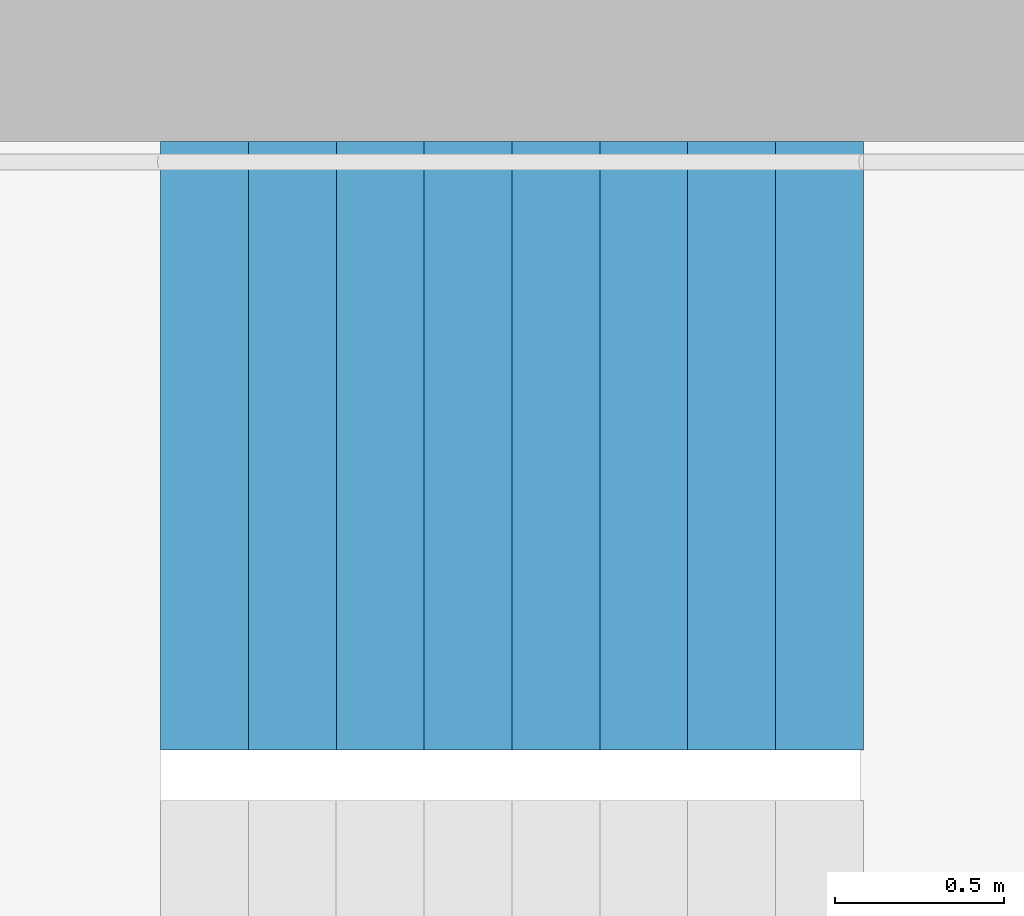
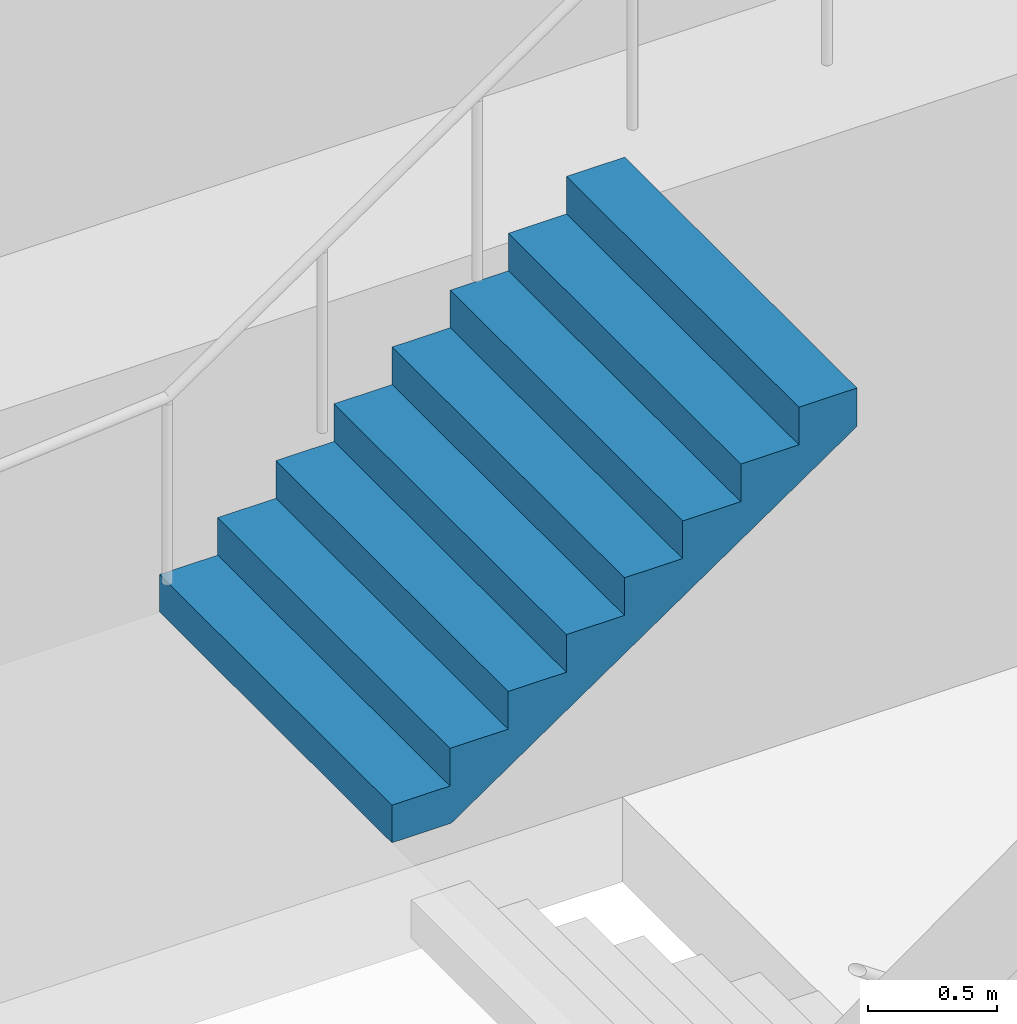
# One storey, part 27 of 35: 1 stair flight, 1 element without a shape of its own.
"""IFC4 building model written with IfcOpenShell, lengths in metres."""

from ifc_helpers import new_model, si_unit, direction, frame, origin, place, context, subcontext, project, spatial, triangles, material, type_object, element, aggregate, save


model = new_model("IFC4")

# Units and contexts
model_context = context("Model", 3, precision=1e-05, world=origin(), true_north=direction((0.0, 1.0)))
body_context = subcontext(model_context, "Body", "Model", "MODEL_VIEW")
ifc_project = project(units=[si_unit("LENGTHUNIT", "METRE"), si_unit("AREAUNIT", "SQUARE_METRE"), si_unit("VOLUMEUNIT", "CUBIC_METRE"), si_unit("PLANEANGLEUNIT", "RADIAN"), si_unit("MASSUNIT", "GRAM", prefix="KILO")], contexts=[model_context])

# Site, building, storey
site_placement = place(None, origin())
site = spatial("IfcSite", under=ifc_project, at=site_placement, CompositionType="ELEMENT")
building_placement = place(site_placement, origin())
building = spatial("IfcBuilding", under=site, at=building_placement, Name="Hakoniwa Tower and Hamabe Station Hall", CompositionType="ELEMENT")
storey_placement = place(building_placement, frame((0.0, 0.0, 51.800048828125)))
storey = spatial("IfcBuildingStorey", under=building, at=storey_placement, Name="L14", CompositionType="ELEMENT", Elevation=51.800048828125)

# Stair, stair flight
ifc_material_1 = material(Name="Concrete C40", Category="concrete")
stair_type = type_object("IfcStairType", Name="ESCAPE STAIR 1800", PredefinedType="HALF_TURN_STAIR", material=ifc_material_1)
stair_placement = place(storey_placement, origin())
stair = element("IfcStair", 1, at=stair_placement, inside=storey, type_object=stair_type, Name="Escape stair ST-3 L14", PredefinedType="HALF_TURN_STAIR")
ifc_material_2 = material(Name="Concrete C40", Category="concrete")
stair_flight_type = type_object("IfcStairFlightType", Name="STAIR FLIGHT 1800", PredefinedType="STRAIGHT", material=ifc_material_2)
stair_flight_placement = place(storey_placement, frame((22.320068359375, 6.60009765625, 1.599853515625), z_axis=(0.0, 0.0, 1.0), x_axis=(1.0, 0.0, 0.0)))
stair_flight = element("IfcStairFlight", 2, at=stair_flight_placement, type_object=stair_flight_type, Name="ST-3 flight 2", NumberOfRisers=9, NumberOfTreads=8, PredefinedType="STRAIGHT", RiserHeight=0.177777778, TreadLength=0.26, context=body_context, shape_type="Tessellation", body=[
    triangles([(0.0, 0.89990234375, 0.0), (0.260009765625, 0.89990234375, 0.0), (0.265625, 0.89990234375, 0.0), (0.52001953125, 0.89990234375, 0.174072265625), (0.780029296875, 0.89990234375, 0.351806640625), (1.0400390625, 0.89990234375, 0.529541015625), (1.300048828125, 0.89990234375, 0.707275390625), (1.56005859375, 0.89990234375, 0.885009765625), (1.820068359375, 0.89990234375, 1.062744140625), (2.080078125, 0.89990234375, 1.24072265625), (2.080078125, 0.89990234375, 1.422119140625), (1.820068359375, 0.89990234375, 1.422119140625), (1.820068359375, 0.89990234375, 1.244384765625), (1.56005859375, 0.89990234375, 1.244384765625), (1.56005859375, 0.89990234375, 1.066650390625), (1.300048828125, 0.89990234375, 1.066650390625), (1.300048828125, 0.89990234375, 0.888916015625), (1.0400390625, 0.89990234375, 0.888916015625), (1.0400390625, 0.89990234375, 0.711181640625), (0.780029296875, 0.89990234375, 0.711181640625), (0.780029296875, 0.89990234375, 0.533447265625), (0.52001953125, 0.89990234375, 0.533447265625), (0.52001953125, 0.89990234375, 0.35546875), (0.265625, 0.89990234375, 0.35546875), (0.260009765625, 0.89990234375, 0.35546875), (0.260009765625, 0.89990234375, 0.177734375), (0.0, 0.89990234375, 0.177734375), (0.0, 0.06005859375, 0.0), (0.260009765625, 0.06005859375, 0.0), (0.265625, 0.06005859375, 0.0), (0.52001953125, 0.06005859375, 0.174072265625), (0.780029296875, 0.06005859375, 0.351806640625), (1.0400390625, 0.06005859375, 0.529541015625), (1.300048828125, 0.06005859375, 0.707275390625), (1.56005859375, 0.06005859375, 0.885009765625), (1.820068359375, 0.06005859375, 1.062744140625), (2.080078125, 0.06005859375, 1.24072265625), (2.080078125, 0.06005859375, 1.422119140625), (1.820068359375, 0.06005859375, 1.422119140625), (1.820068359375, 0.06005859375, 1.244384765625), (1.56005859375, 0.06005859375, 1.244384765625), (1.56005859375, 0.06005859375, 1.066650390625), (1.300048828125, 0.06005859375, 1.066650390625), (1.300048828125, 0.06005859375, 0.888916015625), (1.0400390625, 0.06005859375, 0.888916015625), (1.0400390625, 0.06005859375, 0.711181640625), (0.780029296875, 0.06005859375, 0.711181640625), (0.780029296875, 0.06005859375, 0.533447265625), (0.52001953125, 0.06005859375, 0.533447265625), (0.52001953125, 0.06005859375, 0.35546875), (0.265625, 0.06005859375, 0.35546875), (0.260009765625, 0.06005859375, 0.35546875), (0.260009765625, 0.06005859375, 0.177734375), (0.0, 0.06005859375, 0.177734375), (0.0, 0.04296875, 0.0), (0.260009765625, 0.04296875, 0.0), (0.265625, 0.04296875, 0.0), (0.52001953125, 0.04296875, 0.174072265625), (0.780029296875, 0.04296875, 0.351806640625), (1.0400390625, 0.04296875, 0.529541015625), (1.300048828125, 0.04296875, 0.707275390625), (1.56005859375, 0.04296875, 0.885009765625), (1.820068359375, 0.04296875, 1.062744140625), (2.080078125, 0.04296875, 1.24072265625), (2.080078125, 0.04296875, 1.422119140625), (1.820068359375, 0.04296875, 1.422119140625), (1.820068359375, 0.04296875, 1.244384765625), (1.56005859375, 0.04296875, 1.244384765625), (1.56005859375, 0.04296875, 1.066650390625), (1.300048828125, 0.04296875, 1.066650390625), (1.300048828125, 0.04296875, 0.888916015625), (1.0400390625, 0.04296875, 0.888916015625), (1.0400390625, 0.04296875, 0.711181640625), (0.780029296875, 0.04296875, 0.711181640625), (0.780029296875, 0.04296875, 0.533447265625), (0.52001953125, 0.04296875, 0.533447265625), (0.52001953125, 0.04296875, 0.35546875), (0.265625, 0.04296875, 0.35546875), (0.260009765625, 0.04296875, 0.35546875), (0.260009765625, 0.04296875, 0.177734375), (0.0, 0.04296875, 0.177734375), (0.0, 0.025634765625, 0.0), (0.260009765625, 0.025634765625, 0.0), (0.265625, 0.025634765625, 0.0), (0.52001953125, 0.025634765625, 0.174072265625), (0.780029296875, 0.025634765625, 0.351806640625), (1.0400390625, 0.025634765625, 0.529541015625), (1.300048828125, 0.025634765625, 0.707275390625), (1.56005859375, 0.025634765625, 0.885009765625), (1.820068359375, 0.025634765625, 1.062744140625), (2.080078125, 0.025634765625, 1.24072265625), (2.080078125, 0.025634765625, 1.422119140625), (1.820068359375, 0.025634765625, 1.422119140625), (1.820068359375, 0.025634765625, 1.244384765625), (1.56005859375, 0.025634765625, 1.244384765625), (1.56005859375, 0.025634765625, 1.066650390625), (1.300048828125, 0.025634765625, 1.066650390625), (1.300048828125, 0.025634765625, 0.888916015625), (1.0400390625, 0.025634765625, 0.888916015625), (1.0400390625, 0.025634765625, 0.711181640625), (0.780029296875, 0.025634765625, 0.711181640625), (0.780029296875, 0.025634765625, 0.533447265625), (0.52001953125, 0.025634765625, 0.533447265625), (0.52001953125, 0.025634765625, 0.35546875), (0.265625, 0.025634765625, 0.35546875), (0.260009765625, 0.025634765625, 0.35546875), (0.260009765625, 0.025634765625, 0.177734375), (0.0, 0.025634765625, 0.177734375), (0.0, 0.008544921875, 0.0), (0.260009765625, 0.008544921875, 0.0), (0.265625, 0.008544921875, 0.0), (0.52001953125, 0.008544921875, 0.174072265625), (0.780029296875, 0.008544921875, 0.351806640625), (1.0400390625, 0.008544921875, 0.529541015625), (1.300048828125, 0.008544921875, 0.707275390625), (1.56005859375, 0.008544921875, 0.885009765625), (1.820068359375, 0.008544921875, 1.062744140625), (2.080078125, 0.008544921875, 1.24072265625), (2.080078125, 0.008544921875, 1.422119140625), (1.820068359375, 0.008544921875, 1.422119140625), (1.820068359375, 0.008544921875, 1.244384765625), (1.56005859375, 0.008544921875, 1.244384765625), (1.56005859375, 0.008544921875, 1.066650390625), (1.300048828125, 0.008544921875, 1.066650390625), (1.300048828125, 0.008544921875, 0.888916015625), (1.0400390625, 0.008544921875, 0.888916015625), (1.0400390625, 0.008544921875, 0.711181640625), (0.780029296875, 0.008544921875, 0.711181640625), (0.780029296875, 0.008544921875, 0.533447265625), (0.52001953125, 0.008544921875, 0.533447265625), (0.52001953125, 0.008544921875, 0.35546875), (0.265625, 0.008544921875, 0.35546875), (0.260009765625, 0.008544921875, 0.35546875), (0.260009765625, 0.008544921875, 0.177734375), (0.0, 0.008544921875, 0.177734375), (0.0, -0.008544921875, 0.0), (0.260009765625, -0.008544921875, 0.0), (0.265625, -0.008544921875, 0.0), (0.52001953125, -0.008544921875, 0.174072265625), (0.780029296875, -0.008544921875, 0.351806640625), (1.0400390625, -0.008544921875, 0.529541015625), (1.300048828125, -0.008544921875, 0.707275390625), (1.56005859375, -0.008544921875, 0.885009765625), (1.820068359375, -0.008544921875, 1.062744140625), (2.080078125, -0.008544921875, 1.24072265625), (2.080078125, -0.008544921875, 1.422119140625), (1.820068359375, -0.008544921875, 1.422119140625), (1.820068359375, -0.008544921875, 1.244384765625), (1.56005859375, -0.008544921875, 1.244384765625), (1.56005859375, -0.008544921875, 1.066650390625), (1.300048828125, -0.008544921875, 1.066650390625), (1.300048828125, -0.008544921875, 0.888916015625), (1.0400390625, -0.008544921875, 0.888916015625), (1.0400390625, -0.008544921875, 0.711181640625), (0.780029296875, -0.008544921875, 0.711181640625), (0.780029296875, -0.008544921875, 0.533447265625), (0.52001953125, -0.008544921875, 0.533447265625), (0.52001953125, -0.008544921875, 0.35546875), (0.265625, -0.008544921875, 0.35546875), (0.260009765625, -0.008544921875, 0.35546875), (0.260009765625, -0.008544921875, 0.177734375), (0.0, -0.008544921875, 0.177734375), (0.0, -0.025634765625, 0.0), (0.260009765625, -0.025634765625, 0.0), (0.265625, -0.025634765625, 0.0), (0.52001953125, -0.025634765625, 0.174072265625), (0.780029296875, -0.025634765625, 0.351806640625), (1.0400390625, -0.025634765625, 0.529541015625), (1.300048828125, -0.025634765625, 0.707275390625), (1.56005859375, -0.025634765625, 0.885009765625), (1.820068359375, -0.025634765625, 1.062744140625), (2.080078125, -0.025634765625, 1.24072265625), (2.080078125, -0.025634765625, 1.422119140625), (1.820068359375, -0.025634765625, 1.422119140625), (1.820068359375, -0.025634765625, 1.244384765625), (1.56005859375, -0.025634765625, 1.244384765625), (1.56005859375, -0.025634765625, 1.066650390625), (1.300048828125, -0.025634765625, 1.066650390625), (1.300048828125, -0.025634765625, 0.888916015625), (1.0400390625, -0.025634765625, 0.888916015625), (1.0400390625, -0.025634765625, 0.711181640625), (0.780029296875, -0.025634765625, 0.711181640625), (0.780029296875, -0.025634765625, 0.533447265625), (0.52001953125, -0.025634765625, 0.533447265625), (0.52001953125, -0.025634765625, 0.35546875), (0.265625, -0.025634765625, 0.35546875), (0.260009765625, -0.025634765625, 0.35546875), (0.260009765625, -0.025634765625, 0.177734375), (0.0, -0.025634765625, 0.177734375), (0.0, -0.04296875, 0.0), (0.260009765625, -0.04296875, 0.0), (0.265625, -0.04296875, 0.0), (0.52001953125, -0.04296875, 0.174072265625), (0.780029296875, -0.04296875, 0.351806640625), (1.0400390625, -0.04296875, 0.529541015625), (1.300048828125, -0.04296875, 0.707275390625), (1.56005859375, -0.04296875, 0.885009765625), (1.820068359375, -0.04296875, 1.062744140625), (2.080078125, -0.04296875, 1.24072265625), (2.080078125, -0.04296875, 1.422119140625), (1.820068359375, -0.04296875, 1.422119140625), (1.820068359375, -0.04296875, 1.244384765625), (1.56005859375, -0.04296875, 1.244384765625), (1.56005859375, -0.04296875, 1.066650390625), (1.300048828125, -0.04296875, 1.066650390625), (1.300048828125, -0.04296875, 0.888916015625), (1.0400390625, -0.04296875, 0.888916015625), (1.0400390625, -0.04296875, 0.711181640625), (0.780029296875, -0.04296875, 0.711181640625), (0.780029296875, -0.04296875, 0.533447265625), (0.52001953125, -0.04296875, 0.533447265625), (0.52001953125, -0.04296875, 0.35546875), (0.265625, -0.04296875, 0.35546875), (0.260009765625, -0.04296875, 0.35546875), (0.260009765625, -0.04296875, 0.177734375), (0.0, -0.04296875, 0.177734375), (0.0, -0.06005859375, 0.0), (0.260009765625, -0.06005859375, 0.0), (0.265625, -0.06005859375, 0.0), (0.52001953125, -0.06005859375, 0.174072265625), (0.780029296875, -0.06005859375, 0.351806640625), (1.0400390625, -0.06005859375, 0.529541015625), (1.300048828125, -0.06005859375, 0.707275390625), (1.56005859375, -0.06005859375, 0.885009765625), (1.820068359375, -0.06005859375, 1.062744140625), (2.080078125, -0.06005859375, 1.24072265625), (2.080078125, -0.06005859375, 1.422119140625), (1.820068359375, -0.06005859375, 1.422119140625), (1.820068359375, -0.06005859375, 1.244384765625), (1.56005859375, -0.06005859375, 1.244384765625), (1.56005859375, -0.06005859375, 1.066650390625), (1.300048828125, -0.06005859375, 1.066650390625), (1.300048828125, -0.06005859375, 0.888916015625), (1.0400390625, -0.06005859375, 0.888916015625), (1.0400390625, -0.06005859375, 0.711181640625), (0.780029296875, -0.06005859375, 0.711181640625), (0.780029296875, -0.06005859375, 0.533447265625), (0.52001953125, -0.06005859375, 0.533447265625), (0.52001953125, -0.06005859375, 0.35546875), (0.265625, -0.06005859375, 0.35546875), (0.260009765625, -0.06005859375, 0.35546875), (0.260009765625, -0.06005859375, 0.177734375), (0.0, -0.06005859375, 0.177734375), (0.0, -0.89990234375, 0.0), (0.260009765625, -0.89990234375, 0.0), (0.265625, -0.89990234375, 0.0), (0.52001953125, -0.89990234375, 0.174072265625), (0.780029296875, -0.89990234375, 0.351806640625), (1.0400390625, -0.89990234375, 0.529541015625), (1.300048828125, -0.89990234375, 0.707275390625), (1.56005859375, -0.89990234375, 0.885009765625), (1.820068359375, -0.89990234375, 1.062744140625), (2.080078125, -0.89990234375, 1.24072265625), (2.080078125, -0.89990234375, 1.422119140625), (1.820068359375, -0.89990234375, 1.422119140625), (1.820068359375, -0.89990234375, 1.244384765625), (1.56005859375, -0.89990234375, 1.244384765625), (1.56005859375, -0.89990234375, 1.066650390625), (1.300048828125, -0.89990234375, 1.066650390625), (1.300048828125, -0.89990234375, 0.888916015625), (1.0400390625, -0.89990234375, 0.888916015625), (1.0400390625, -0.89990234375, 0.711181640625), (0.780029296875, -0.89990234375, 0.711181640625), (0.780029296875, -0.89990234375, 0.533447265625), (0.52001953125, -0.89990234375, 0.533447265625), (0.52001953125, -0.89990234375, 0.35546875), (0.265625, -0.89990234375, 0.35546875), (0.260009765625, -0.89990234375, 0.35546875), (0.260009765625, -0.89990234375, 0.177734375), (0.0, -0.89990234375, 0.177734375)], [[2, 27, 26], [245, 269, 270], [2, 1, 27], [245, 270, 244], [3, 25, 24], [246, 267, 268], [3, 26, 25], [246, 268, 269], [3, 2, 26], [246, 269, 245], [4, 24, 23], [247, 266, 267], [4, 3, 24], [247, 267, 246], [5, 22, 21], [248, 264, 265], [5, 23, 22], [248, 265, 266], [5, 4, 23], [248, 266, 247], [6, 20, 19], [249, 262, 263], [6, 21, 20], [249, 263, 264], [6, 5, 21], [249, 264, 248], [7, 18, 17], [250, 260, 261], [7, 19, 18], [250, 261, 262], [7, 6, 19], [250, 262, 249], [8, 16, 15], [251, 258, 259], [8, 17, 16], [251, 259, 260], [8, 7, 17], [251, 260, 250], [9, 14, 13], [252, 256, 257], [9, 15, 14], [252, 257, 258], [9, 8, 15], [252, 258, 251], [10, 12, 11], [253, 254, 255], [10, 13, 12], [253, 255, 256], [10, 9, 13], [253, 256, 252], [1, 2, 29], [1, 29, 28], [28, 29, 56], [28, 56, 55], [55, 56, 83], [55, 83, 82], [82, 83, 110], [82, 110, 109], [109, 110, 137], [109, 137, 136], [136, 137, 164], [136, 164, 163], [163, 164, 191], [163, 191, 190], [190, 191, 218], [190, 218, 217], [217, 218, 245], [217, 245, 244], [2, 3, 30], [2, 30, 29], [29, 30, 57], [29, 57, 56], [56, 57, 84], [56, 84, 83], [83, 84, 111], [83, 111, 110], [110, 111, 138], [110, 138, 137], [137, 138, 165], [137, 165, 164], [164, 165, 192], [164, 192, 191], [191, 192, 219], [191, 219, 218], [218, 219, 246], [218, 246, 245], [3, 4, 31], [3, 31, 30], [30, 31, 58], [30, 58, 57], [57, 58, 85], [57, 85, 84], [84, 85, 112], [84, 112, 111], [111, 112, 139], [111, 139, 138], [138, 139, 166], [138, 166, 165], [165, 166, 193], [165, 193, 192], [192, 193, 220], [192, 220, 219], [219, 220, 247], [219, 247, 246], [4, 5, 32], [4, 32, 31], [31, 32, 59], [31, 59, 58], [58, 59, 86], [58, 86, 85], [85, 86, 113], [85, 113, 112], [112, 113, 140], [112, 140, 139], [139, 140, 167], [139, 167, 166], [166, 167, 194], [166, 194, 193], [193, 194, 221], [193, 221, 220], [220, 221, 248], [220, 248, 247], [5, 6, 33], [5, 33, 32], [32, 33, 60], [32, 60, 59], [59, 60, 87], [59, 87, 86], [86, 87, 114], [86, 114, 113], [113, 114, 141], [113, 141, 140], [140, 141, 168], [140, 168, 167], [167, 168, 195], [167, 195, 194], [194, 195, 222], [194, 222, 221], [221, 222, 249], [221, 249, 248], [6, 7, 34], [6, 34, 33], [33, 34, 61], [33, 61, 60], [60, 61, 88], [60, 88, 87], [87, 88, 115], [87, 115, 114], [114, 115, 142], [114, 142, 141], [141, 142, 169], [141, 169, 168], [168, 169, 196], [168, 196, 195], [195, 196, 223], [195, 223, 222], [222, 223, 250], [222, 250, 249], [7, 8, 35], [7, 35, 34], [34, 35, 62], [34, 62, 61], [61, 62, 89], [61, 89, 88], [88, 89, 116], [88, 116, 115], [115, 116, 143], [115, 143, 142], [142, 143, 170], [142, 170, 169], [169, 170, 197], [169, 197, 196], [196, 197, 224], [196, 224, 223], [223, 224, 251], [223, 251, 250], [8, 9, 36], [8, 36, 35], [35, 36, 63], [35, 63, 62], [62, 63, 90], [62, 90, 89], [89, 90, 117], [89, 117, 116], [116, 117, 144], [116, 144, 143], [143, 144, 171], [143, 171, 170], [170, 171, 198], [170, 198, 197], [197, 198, 225], [197, 225, 224], [224, 225, 252], [224, 252, 251], [9, 10, 37], [9, 37, 36], [36, 37, 64], [36, 64, 63], [63, 64, 91], [63, 91, 90], [90, 91, 118], [90, 118, 117], [117, 118, 145], [117, 145, 144], [144, 145, 172], [144, 172, 171], [171, 172, 199], [171, 199, 198], [198, 199, 226], [198, 226, 225], [225, 226, 253], [225, 253, 252], [10, 11, 38], [10, 38, 37], [37, 38, 65], [37, 65, 64], [64, 65, 92], [64, 92, 91], [91, 92, 119], [91, 119, 118], [118, 119, 146], [118, 146, 145], [145, 146, 173], [145, 173, 172], [172, 173, 200], [172, 200, 199], [199, 200, 227], [199, 227, 226], [226, 227, 254], [226, 254, 253], [11, 12, 39], [11, 39, 38], [38, 39, 66], [38, 66, 65], [65, 66, 93], [65, 93, 92], [92, 93, 120], [92, 120, 119], [119, 120, 147], [119, 147, 146], [146, 147, 174], [146, 174, 173], [173, 174, 201], [173, 201, 200], [200, 201, 228], [200, 228, 227], [227, 228, 255], [227, 255, 254], [12, 13, 40], [12, 40, 39], [39, 40, 67], [39, 67, 66], [66, 67, 94], [66, 94, 93], [93, 94, 121], [93, 121, 120], [120, 121, 148], [120, 148, 147], [147, 148, 175], [147, 175, 174], [174, 175, 202], [174, 202, 201], [201, 202, 229], [201, 229, 228], [228, 229, 256], [228, 256, 255], [13, 14, 41], [13, 41, 40], [40, 41, 68], [40, 68, 67], [67, 68, 95], [67, 95, 94], [94, 95, 122], [94, 122, 121], [121, 122, 149], [121, 149, 148], [148, 149, 176], [148, 176, 175], [175, 176, 203], [175, 203, 202], [202, 203, 230], [202, 230, 229], [229, 230, 257], [229, 257, 256], [14, 15, 42], [14, 42, 41], [41, 42, 69], [41, 69, 68], [68, 69, 96], [68, 96, 95], [95, 96, 123], [95, 123, 122], [122, 123, 150], [122, 150, 149], [149, 150, 177], [149, 177, 176], [176, 177, 204], [176, 204, 203], [203, 204, 231], [203, 231, 230], [230, 231, 258], [230, 258, 257], [15, 16, 43], [15, 43, 42], [42, 43, 70], [42, 70, 69], [69, 70, 97], [69, 97, 96], [96, 97, 124], [96, 124, 123], [123, 124, 151], [123, 151, 150], [150, 151, 178], [150, 178, 177], [177, 178, 205], [177, 205, 204], [204, 205, 232], [204, 232, 231], [231, 232, 259], [231, 259, 258], [16, 17, 44], [16, 44, 43], [43, 44, 71], [43, 71, 70], [70, 71, 98], [70, 98, 97], [97, 98, 125], [97, 125, 124], [124, 125, 152], [124, 152, 151], [151, 152, 179], [151, 179, 178], [178, 179, 206], [178, 206, 205], [205, 206, 233], [205, 233, 232], [232, 233, 260], [232, 260, 259], [17, 18, 45], [17, 45, 44], [44, 45, 72], [44, 72, 71], [71, 72, 99], [71, 99, 98], [98, 99, 126], [98, 126, 125], [125, 126, 153], [125, 153, 152], [152, 153, 180], [152, 180, 179], [179, 180, 207], [179, 207, 206], [206, 207, 234], [206, 234, 233], [233, 234, 261], [233, 261, 260], [18, 19, 46], [18, 46, 45], [45, 46, 73], [45, 73, 72], [72, 73, 100], [72, 100, 99], [99, 100, 127], [99, 127, 126], [126, 127, 154], [126, 154, 153], [153, 154, 181], [153, 181, 180], [180, 181, 208], [180, 208, 207], [207, 208, 235], [207, 235, 234], [234, 235, 262], [234, 262, 261], [19, 20, 47], [19, 47, 46], [46, 47, 74], [46, 74, 73], [73, 74, 101], [73, 101, 100], [100, 101, 128], [100, 128, 127], [127, 128, 155], [127, 155, 154], [154, 155, 182], [154, 182, 181], [181, 182, 209], [181, 209, 208], [208, 209, 236], [208, 236, 235], [235, 236, 263], [235, 263, 262], [20, 21, 48], [20, 48, 47], [47, 48, 75], [47, 75, 74], [74, 75, 102], [74, 102, 101], [101, 102, 129], [101, 129, 128], [128, 129, 156], [128, 156, 155], [155, 156, 183], [155, 183, 182], [182, 183, 210], [182, 210, 209], [209, 210, 237], [209, 237, 236], [236, 237, 264], [236, 264, 263], [21, 22, 49], [21, 49, 48], [48, 49, 76], [48, 76, 75], [75, 76, 103], [75, 103, 102], [102, 103, 130], [102, 130, 129], [129, 130, 157], [129, 157, 156], [156, 157, 184], [156, 184, 183], [183, 184, 211], [183, 211, 210], [210, 211, 238], [210, 238, 237], [237, 238, 265], [237, 265, 264], [22, 23, 50], [22, 50, 49], [49, 50, 77], [49, 77, 76], [76, 77, 104], [76, 104, 103], [103, 104, 131], [103, 131, 130], [130, 131, 158], [130, 158, 157], [157, 158, 185], [157, 185, 184], [184, 185, 212], [184, 212, 211], [211, 212, 239], [211, 239, 238], [238, 239, 266], [238, 266, 265], [23, 24, 51], [23, 51, 50], [50, 51, 78], [50, 78, 77], [77, 78, 105], [77, 105, 104], [104, 105, 132], [104, 132, 131], [131, 132, 159], [131, 159, 158], [158, 159, 186], [158, 186, 185], [185, 186, 213], [185, 213, 212], [212, 213, 240], [212, 240, 239], [239, 240, 267], [239, 267, 266], [24, 25, 52], [24, 52, 51], [51, 52, 79], [51, 79, 78], [78, 79, 106], [78, 106, 105], [105, 106, 133], [105, 133, 132], [132, 133, 160], [132, 160, 159], [159, 160, 187], [159, 187, 186], [186, 187, 214], [186, 214, 213], [213, 214, 241], [213, 241, 240], [240, 241, 268], [240, 268, 267], [25, 26, 53], [25, 53, 52], [52, 53, 80], [52, 80, 79], [79, 80, 107], [79, 107, 106], [106, 107, 134], [106, 134, 133], [133, 134, 161], [133, 161, 160], [160, 161, 188], [160, 188, 187], [187, 188, 215], [187, 215, 214], [214, 215, 242], [214, 242, 241], [241, 242, 269], [241, 269, 268], [26, 27, 54], [26, 54, 53], [53, 54, 81], [53, 81, 80], [80, 81, 108], [80, 108, 107], [107, 108, 135], [107, 135, 134], [134, 135, 162], [134, 162, 161], [161, 162, 189], [161, 189, 188], [188, 189, 216], [188, 216, 215], [215, 216, 243], [215, 243, 242], [242, 243, 270], [242, 270, 269], [27, 1, 28], [27, 28, 54], [54, 28, 55], [54, 55, 81], [81, 55, 82], [81, 82, 108], [108, 82, 109], [108, 109, 135], [135, 109, 136], [135, 136, 162], [162, 136, 163], [162, 163, 189], [189, 163, 190], [189, 190, 216], [216, 190, 217], [216, 217, 243], [243, 217, 244], [243, 244, 270]], closed=True),
])
aggregate(stair, [stair_flight])

save(model, "model.ifc")
